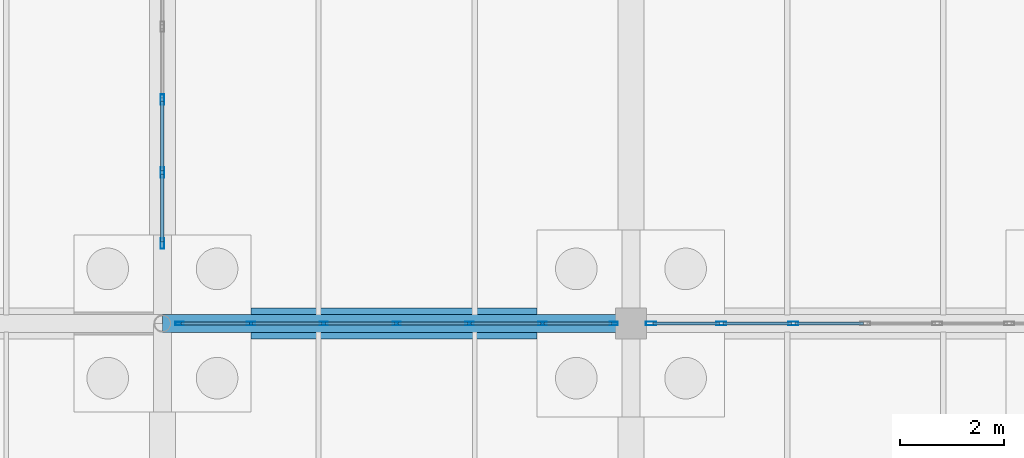
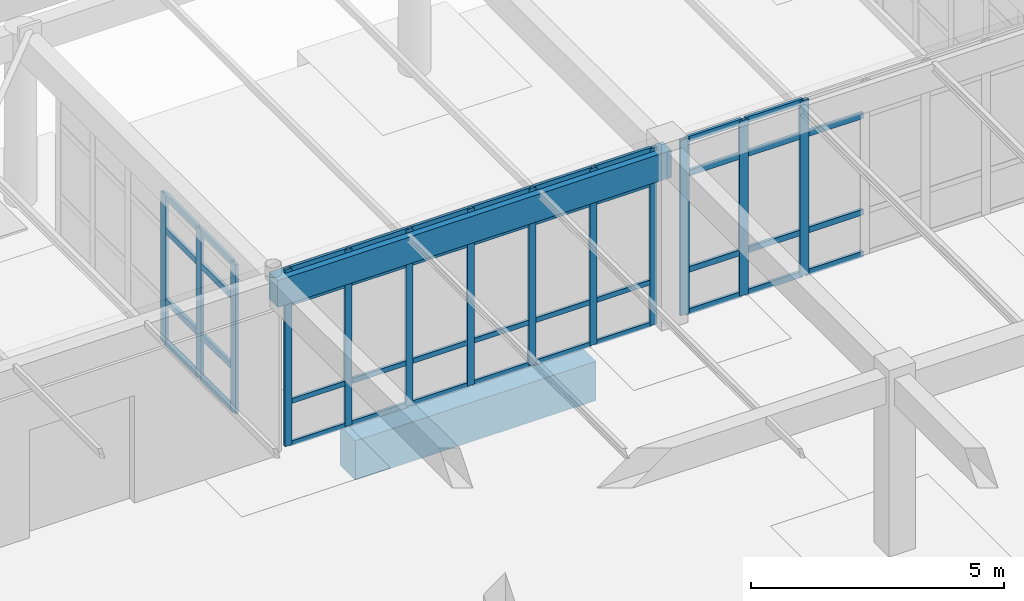
# One storey, part 132 of 186: 56 members, 2 beams, 3 elements without a shape of their own.
"""IFC4 building model written with IfcOpenShell, lengths in metres."""

import ifcopenshell
import ifcopenshell.guid

model = None  # the IFC model being written
_history = None  # IfcOwnerHistory: only IFC2X3 demands one
_inside = {}  # id of a spatial element -> (the spatial element, [elements in it])
_under = {}  # id of a project, library or spatial element -> (it, [spatial elements below it])
_declared = {}  # id of a project -> (the project, [libraries it declares])
_typed = {}  # id of a type object -> (the type object, [elements of that type])
_made_of = {}  # id of a material, layer set ... -> (it, [elements and type objects made of it])


def new_model(schema):
    """Start an empty IFC model of exactly this schema.

    Asked for "IFC4X3", IfcOpenShell would pick the latest addendum, in which some entities
    have other attributes; the version numbers below select the first issue.
    IFC2X3 requires an IfcOwnerHistory on every rooted entity: one is made here for all.
    """
    global model, _history
    if schema == "IFC4X3":
        model = ifcopenshell.file(schema_version=(4, 3, 0, 0))
    else:
        model = ifcopenshell.file(schema=schema)
    _inside.clear()
    _under.clear()
    _declared.clear()
    _typed.clear()
    _made_of.clear()
    _history = None
    if model.schema == "IFC2X3":
        org = make("IfcOrganization", Name="unknown")
        user = make(
            "IfcPersonAndOrganization",
            ThePerson=make("IfcPerson", FamilyName="unknown"),
            TheOrganization=org,
        )
        app = make(
            "IfcApplication",
            ApplicationDeveloper=org,
            Version="unknown",
            ApplicationFullName="unknown",
            ApplicationIdentifier="unknown",
        )
        _history = make(
            "IfcOwnerHistory",
            OwningUser=user,
            OwningApplication=app,
            ChangeAction="ADDED",
            CreationDate=0,
        )
    return model


def make(cls, **values):
    """One entity of the class cls with the attributes given. An attribute that is None is left unset."""
    return model.create_entity(
        cls, **{name: value for name, value in values.items() if value is not None}
    )


def rooted(cls, **values):
    """An entity with a GlobalId (a new one), such as an element, a storey or a relation."""
    return make(cls, GlobalId=ifcopenshell.guid.new(), OwnerHistory=_history, **values)


def si_unit(unit_type, name, prefix=None):
    """IfcSIUnit, for example si_unit("LENGTHUNIT", "METRE", prefix="MILLI")."""
    return make("IfcSIUnit", UnitType=unit_type, Prefix=prefix, Name=name)


def assignment(units):
    """IfcUnitAssignment: the units of a project."""
    return None if units is None else make("IfcUnitAssignment", Units=units)


def point(xyz):
    """IfcCartesianPoint."""
    return None if xyz is None else make("IfcCartesianPoint", Coordinates=xyz)


def direction(xyz):
    """IfcDirection."""
    return None if xyz is None else make("IfcDirection", DirectionRatios=xyz)


def frame(location, z_axis=None, x_axis=None):
    """IfcAxis2Placement3D, a coordinate frame: its origin and axes. An axis left out is left unset."""
    return make(
        "IfcAxis2Placement3D",
        Location=point(location),
        Axis=direction(z_axis),
        RefDirection=direction(x_axis),
    )


def frame_2d(location, x_axis=None):
    """IfcAxis2Placement2D, a coordinate frame in the plane: its origin and x axis."""
    return make(
        "IfcAxis2Placement2D", Location=point(location), RefDirection=direction(x_axis)
    )


def origin():
    """The frame at (0, 0, 0) with its axes left unset."""
    return frame((0.0, 0.0, 0.0))


def origin_2d():
    """The frame at (0, 0) in the plane with its x axis left unset."""
    return frame_2d((0.0, 0.0))


def place(relative_to, where):
    """IfcLocalPlacement: puts the frame where relative to a parent placement (None: the world)."""
    return make(
        "IfcLocalPlacement", PlacementRelTo=relative_to, RelativePlacement=where
    )


def context(
    kind, dimensions, precision=None, world=None, true_north=None, identifier=None
):
    """IfcGeometricRepresentationContext, for example the 3D "Model" context."""
    return make(
        "IfcGeometricRepresentationContext",
        ContextIdentifier=identifier,
        ContextType=kind,
        CoordinateSpaceDimension=dimensions,
        Precision=precision,
        WorldCoordinateSystem=world,
        TrueNorth=true_north,
    )


def subcontext(parent, identifier, kind, view, scale=None):
    """IfcGeometricRepresentationSubContext, for example "Body" below "Model"."""
    return make(
        "IfcGeometricRepresentationSubContext",
        ContextIdentifier=identifier,
        ContextType=kind,
        ParentContext=parent,
        TargetScale=scale,
        TargetView=view,
    )


def project(units=None, contexts=None):
    """IfcProject with its units and contexts."""
    return rooted(
        "IfcProject",
        Name="project",
        RepresentationContexts=contexts,
        UnitsInContext=assignment(units),
    )


def spatial(cls, under=None, at=None, **own):
    """A site, building, storey or space (cls), placed at a placement, below another one or the project."""
    s = rooted(cls, ObjectPlacement=at, **own)
    if under is not None:
        _under.setdefault(under.id(), (under, []))[1].append(s)
    return s


def profile(cls, at=None, kind="AREA", **sizes):
    """A parametric profile (cls). Its sizes go by their IFC names, for example OverallWidth=200.0."""
    return make(cls, ProfileType=kind, Position=at, **sizes)


def rectangle(**sizes):
    """IfcRectangleProfileDef."""
    return profile("IfcRectangleProfileDef", **sizes)


def hollow_rectangle(**sizes):
    """IfcRectangleHollowProfileDef."""
    return profile("IfcRectangleHollowProfileDef", **sizes)


def extrude(swept, where, along, depth):
    """IfcExtrudedAreaSolid: the profile swept, set in the frame where, extruded along a direction by depth."""
    return make(
        "IfcExtrudedAreaSolid",
        SweptArea=swept,
        Position=where,
        ExtrudedDirection=direction(along),
        Depth=depth,
    )


def shape(context_of_items, identifier, shape_type, items):
    """IfcShapeRepresentation: the items that make up one representation, for example the "Body"."""
    return make(
        "IfcShapeRepresentation",
        ContextOfItems=context_of_items,
        RepresentationIdentifier=identifier,
        RepresentationType=shape_type,
        Items=items,
    )


def material(Name=None, Category=None):
    """IfcMaterial."""
    return make("IfcMaterial", Name=Name, Category=Category)


def layer(
    of_material, thickness, ventilated=None, Name=None, Category=None, Priority=None
):
    """IfcMaterialLayer: one layer of a wall or slab, of a material (None: an air gap)."""
    return make(
        "IfcMaterialLayer",
        Material=of_material,
        LayerThickness=thickness,
        IsVentilated=ventilated,
        Name=Name,
        Category=Category,
        Priority=Priority,
    )


def layer_set(layers, Name=None):
    """IfcMaterialLayerSet."""
    return make("IfcMaterialLayerSet", MaterialLayers=layers, LayerSetName=Name)


def material_profile(
    of_material, cross_section, Name=None, Category=None, Priority=None
):
    """IfcMaterialProfile: a cross section and its material."""
    return make(
        "IfcMaterialProfile",
        Name=Name,
        Material=of_material,
        Profile=cross_section,
        Priority=Priority,
        Category=Category,
    )


def profile_set(profiles, Name=None, composite=None):
    """IfcMaterialProfileSet."""
    return make(
        "IfcMaterialProfileSet",
        Name=Name,
        MaterialProfiles=profiles,
        CompositeProfile=composite,
    )


def made_of(thing, what):
    """Note that an element or type object is made of a material, layer set ...; save() writes the relation."""
    if what is not None:
        _made_of.setdefault(what.id(), (what, []))[1].append(thing)
    return thing


def type_object(cls, material=None, **own):
    """A type object (cls), such as IfcWallType, which elements share."""
    return made_of(rooted(cls, **own), material)


def element(
    cls,
    number,
    at=None,
    inside=None,
    cuts=None,
    type_object=None,
    material=None,
    context=None,
    identifier="Body",
    shape_type=None,
    held_by="IfcProductDefinitionShape",
    body=None,
    shapes=None,
    **own,
):
    """One element of the class cls, such as IfcWall. Its Tag is "e" and its number.

    at: its placement. inside: the storey or other place that contains it. cuts: it is an
    opening in that element (IfcRelVoidsElement). A single representation is given by context,
    identifier, shape_type and body (its items); several are given by shapes. held_by: the class
    of the entity that holds the representations. save() writes the other relations.
    """
    e = rooted(cls, Tag="e%d" % number, ObjectPlacement=at, **own)
    if body is not None:
        shapes = [shape(context, identifier, shape_type, body)]
    if shapes is not None:
        e.Representation = make(held_by, Representations=shapes)
    if inside is not None:
        _inside.setdefault(inside.id(), (inside, []))[1].append(e)
    if cuts is not None:
        rooted(
            "IfcRelVoidsElement", RelatingBuildingElement=cuts, RelatedOpeningElement=e
        )
    if type_object is not None:
        _typed.setdefault(type_object.id(), (type_object, []))[1].append(e)
    return made_of(e, material)


def aggregate(whole, parts):
    """IfcRelAggregates: a whole, such as a stair, and the parts it consists of."""
    return rooted("IfcRelAggregates", RelatingObject=whole, RelatedObjects=parts)


def save(model, path):
    """Write the relations noted so far, then the file.

    IfcRelAggregates (storeys below a building ...), IfcRelContainedInSpatialStructure (elements
    in a storey), IfcRelDefinesByType, IfcRelAssociatesMaterial and IfcRelDeclares: one each for
    every whole, place, type object, material and project.
    """
    for whole, parts in _under.values():
        aggregate(whole, parts)
    for where, things in _inside.values():
        rooted(
            "IfcRelContainedInSpatialStructure",
            RelatedElements=things,
            RelatingStructure=where,
        )
    for kind, things in _typed.values():
        rooted("IfcRelDefinesByType", RelatedObjects=things, RelatingType=kind)
    for what, things in _made_of.values():
        rooted("IfcRelAssociatesMaterial", RelatedObjects=things, RelatingMaterial=what)
    for by, libraries in _declared.values():
        rooted("IfcRelDeclares", RelatingContext=by, RelatedDefinitions=libraries)
    model.write(path)


model = new_model("IFC4")

# Units and contexts
model_context = context("Model", 3, precision=1e-05, world=origin(), true_north=direction((0.0, 1.0)))
body_context = subcontext(model_context, "Body", "Model", "MODEL_VIEW")
ifc_project = project(units=[si_unit("LENGTHUNIT", "METRE"), si_unit("AREAUNIT", "SQUARE_METRE"), si_unit("VOLUMEUNIT", "CUBIC_METRE"), si_unit("PLANEANGLEUNIT", "RADIAN"), si_unit("MASSUNIT", "GRAM", prefix="KILO")], contexts=[model_context])

# Site, building, storey
site_placement = place(None, origin())
site = spatial("IfcSite", under=ifc_project, at=site_placement, CompositionType="ELEMENT")
building_placement = place(site_placement, origin())
building = spatial("IfcBuilding", under=site, at=building_placement, Name="Ornek Quay Market", CompositionType="ELEMENT")
storey_placement = place(building_placement, origin())
storey = spatial("IfcBuildingStorey", under=building, at=storey_placement, Name="L00", CompositionType="ELEMENT", Elevation=0.0)

# Beams
ifc_material_1 = material(Name="Concrete C35/45", Category="concrete")
ifc_material_profile_1 = material_profile(ifc_material_1, rectangle(XDim=0.35009765625, YDim=0.64990234375, at=origin_2d()), Name="RC 350x650", Category="concrete")
ifc_profile_set_1 = profile_set([ifc_material_profile_1], Name="Concrete C35/45")
beam_type_1 = type_object("IfcBeamType", Name="BM-CONC-350x650", PredefinedType="BEAM", material=ifc_profile_set_1)
beam_1_placement = place(storey_placement, frame((144.0, 110.0, 3.864990234375), z_axis=(1.0, 0.0, 0.0), x_axis=(0.0, 1.0, 0.0)))
element("IfcBeam", 1, at=beam_1_placement, inside=storey, type_object=beam_type_1, Name="Primary beam B-CN1-035", PredefinedType="BEAM", context=body_context, shape_type="SweptSolid", body=[
    extrude(rectangle(XDim=0.35009765625, YDim=0.64990234375, at=origin_2d()), origin(), (0.0, 0.0, 1.0), 9.0),
])
ifc_material_profile_2 = material_profile(ifc_material_1, rectangle(XDim=0.60009765625, YDim=0.949951171875, at=origin_2d()), Name="RC 600x950", Category="concrete")
ifc_profile_set_2 = profile_set([ifc_material_profile_2], Name="Concrete C35/45")
beam_type_2 = type_object("IfcBeamType", Name="BM-GB-600x950", PredefinedType="BEAM", material=ifc_profile_set_2)
beam_2_placement = place(storey_placement, frame((145.699951171875, 110.0, -0.675048828125), z_axis=(1.0, 0.0, 0.0), x_axis=(0.0, 1.0, 0.0)))
element("IfcBeam", 2, at=beam_2_placement, inside=storey, type_object=beam_type_2, Name="Ground tie beam GB-352", PredefinedType="BEAM", context=body_context, shape_type="SweptSolid", body=[
    extrude(rectangle(XDim=0.60009765625, YDim=0.949951171875, at=origin_2d()), origin(), (0.0, 0.0, 1.0), 5.5),
])

# Curtain wall, members
ifc_material_2 = material(Name="Anodised bronze aluminium and triple low-e glass", Category="aluminium")
ifc_layer_1 = layer(ifc_material_2, 0.179931640625, Name="Anodised bronze aluminium and triple low-e glass", Category="aluminium")
ifc_layer_set_1 = layer_set([ifc_layer_1], Name="Anodised bronze aluminium and triple low-e glass")
curtain_wall_type_1 = type_object("IfcCurtainWallType", Name="CW-CONC-MOD1500", PredefinedType="USERDEFINED", material=ifc_layer_set_1)
curtain_wall_1_placement = place(storey_placement, origin())
curtain_wall_1 = element("IfcCurtainWall", 3, at=curtain_wall_1_placement, inside=storey, type_object=curtain_wall_type_1, Name="Curtain wall CW-029", ObjectType="CURTAIN WALL", PredefinedType="USERDEFINED")
ifc_material_3 = material(Name="Anodised aluminium 6063-T6", Category="aluminium")
ifc_material_profile_3 = material_profile(ifc_material_3, hollow_rectangle(XDim=0.06005859375, YDim=0.159912109375, WallThickness=0.00390625, at=origin_2d()), Name="CW-MUL-60x160", Category="aluminium")
ifc_profile_set_3 = profile_set([ifc_material_profile_3], Name="Anodised aluminium 6063-T6")
member_type_1 = type_object("IfcMemberType", Name="CW-MUL-60x160", PredefinedType="MULLION", material=ifc_profile_set_3)
member_1_placement = place(storey_placement, frame((144.330078125, 110.0, 0.0), z_axis=(0.0, 0.0, 1.0), x_axis=(0.0, 1.0, 0.0)))
member_1 = element("IfcMember", 4, at=member_1_placement, type_object=member_type_1, Name="CW-029 mullion 1", PredefinedType="MULLION", context=body_context, shape_type="SweptSolid", body=[
    extrude(hollow_rectangle(XDim=0.06005859375, YDim=0.159912109375, WallThickness=0.00390625, at=origin_2d()), origin(), (0.0, 0.0, 1.0), 4.27001953125),
])
member_2_placement = place(storey_placement, frame((145.699951171875, 110.0, 0.0), z_axis=(0.0, 0.0, 1.0), x_axis=(0.0, 1.0, 0.0)))
member_2 = element("IfcMember", 5, at=member_2_placement, type_object=member_type_1, Name="CW-029 mullion 2", PredefinedType="MULLION", context=body_context, shape_type="SweptSolid", body=[
    extrude(hollow_rectangle(XDim=0.06005859375, YDim=0.159912109375, WallThickness=0.00390625, at=origin_2d()), origin(), (0.0, 0.0, 1.0), 4.27001953125),
])
member_3_placement = place(storey_placement, frame((147.10009765625, 110.0, 0.0), z_axis=(0.0, 0.0, 1.0), x_axis=(0.0, 1.0, 0.0)))
member_3 = element("IfcMember", 6, at=member_3_placement, type_object=member_type_1, Name="CW-029 mullion 3", PredefinedType="MULLION", context=body_context, shape_type="SweptSolid", body=[
    extrude(hollow_rectangle(XDim=0.06005859375, YDim=0.159912109375, WallThickness=0.00390625, at=origin_2d()), origin(), (0.0, 0.0, 1.0), 4.27001953125),
])
member_4_placement = place(storey_placement, frame((148.5, 110.0, 0.0), z_axis=(0.0, 0.0, 1.0), x_axis=(0.0, 1.0, 0.0)))
member_4 = element("IfcMember", 7, at=member_4_placement, type_object=member_type_1, Name="CW-029 mullion 4", PredefinedType="MULLION", context=body_context, shape_type="SweptSolid", body=[
    extrude(hollow_rectangle(XDim=0.06005859375, YDim=0.159912109375, WallThickness=0.00390625, at=origin_2d()), origin(), (0.0, 0.0, 1.0), 4.27001953125),
])
member_5_placement = place(storey_placement, frame((149.89990234375, 110.0, 0.0), z_axis=(0.0, 0.0, 1.0), x_axis=(0.0, 1.0, 0.0)))
member_5 = element("IfcMember", 8, at=member_5_placement, type_object=member_type_1, Name="CW-029 mullion 5", PredefinedType="MULLION", context=body_context, shape_type="SweptSolid", body=[
    extrude(hollow_rectangle(XDim=0.06005859375, YDim=0.159912109375, WallThickness=0.00390625, at=origin_2d()), origin(), (0.0, 0.0, 1.0), 4.27001953125),
])
member_6_placement = place(storey_placement, frame((151.300048828125, 110.0, 0.0), z_axis=(0.0, 0.0, 1.0), x_axis=(0.0, 1.0, 0.0)))
member_6 = element("IfcMember", 9, at=member_6_placement, type_object=member_type_1, Name="CW-029 mullion 6", PredefinedType="MULLION", context=body_context, shape_type="SweptSolid", body=[
    extrude(hollow_rectangle(XDim=0.06005859375, YDim=0.159912109375, WallThickness=0.00390625, at=origin_2d()), origin(), (0.0, 0.0, 1.0), 4.27001953125),
])
member_7_placement = place(storey_placement, frame((152.669921875, 110.0, 0.0), z_axis=(0.0, 0.0, 1.0), x_axis=(0.0, 1.0, 0.0)))
member_7 = element("IfcMember", 10, at=member_7_placement, type_object=member_type_1, Name="CW-029 mullion 7", PredefinedType="MULLION", context=body_context, shape_type="SweptSolid", body=[
    extrude(hollow_rectangle(XDim=0.06005859375, YDim=0.159912109375, WallThickness=0.00390625, at=origin_2d()), origin(), (0.0, 0.0, 1.0), 4.27001953125),
])

ifc_layer_2 = layer(ifc_material_2, 0.18994140625, Name="Anodised bronze aluminium and triple low-e glass", Category="aluminium")
ifc_layer_set_2 = layer_set([ifc_layer_2], Name="Anodised bronze aluminium and triple low-e glass")
curtain_wall_type_2 = type_object("IfcCurtainWallType", Name="CW-FC-MOD1500", PredefinedType="USERDEFINED", material=ifc_layer_set_2)
curtain_wall_2_placement = place(storey_placement, origin())
curtain_wall_2 = element("IfcCurtainWall", 11, at=curtain_wall_2_placement, inside=storey, type_object=curtain_wall_type_2, Name="Curtain wall CW-079", ObjectType="CURTAIN WALL", PredefinedType="USERDEFINED")
ifc_material_profile_4 = material_profile(ifc_material_3, hollow_rectangle(XDim=0.070068359375, YDim=0.199951171875, WallThickness=0.0048828125, at=origin_2d()), Name="CW-MUL-70x200", Category="aluminium")
ifc_profile_set_4 = profile_set([ifc_material_profile_4], Name="Anodised aluminium 6063-T6")
member_type_2 = type_object("IfcMemberType", Name="CW-MUL-70x200", PredefinedType="MULLION", material=ifc_profile_set_4)
member_8_placement = place(storey_placement, frame((153.385009765625, 110.0, 0.0), z_axis=(0.0, 0.0, 1.0), x_axis=(0.0, 1.0, 0.0)))
member_8 = element("IfcMember", 12, at=member_8_placement, type_object=member_type_2, Name="CW-079 mullion 1", PredefinedType="MULLION", context=body_context, shape_type="SweptSolid", body=[
    extrude(hollow_rectangle(XDim=0.070068359375, YDim=0.199951171875, WallThickness=0.0048828125, at=origin_2d()), origin(), (0.0, 0.0, 1.0), 4.22998046875),
])
member_9_placement = place(storey_placement, frame((154.7333984375, 110.0, 0.0), z_axis=(0.0, 0.0, 1.0), x_axis=(0.0, 1.0, 0.0)))
member_9 = element("IfcMember", 13, at=member_9_placement, type_object=member_type_2, Name="CW-079 mullion 2", PredefinedType="MULLION", context=body_context, shape_type="SweptSolid", body=[
    extrude(hollow_rectangle(XDim=0.070068359375, YDim=0.199951171875, WallThickness=0.0048828125, at=origin_2d()), origin(), (0.0, 0.0, 1.0), 4.22998046875),
])
member_10_placement = place(storey_placement, frame((156.11669921875, 110.0, 0.0), z_axis=(0.0, 0.0, 1.0), x_axis=(0.0, 1.0, 0.0)))
member_10 = element("IfcMember", 14, at=member_10_placement, type_object=member_type_2, Name="CW-079 mullion 3", PredefinedType="MULLION", context=body_context, shape_type="SweptSolid", body=[
    extrude(hollow_rectangle(XDim=0.070068359375, YDim=0.199951171875, WallThickness=0.0048828125, at=origin_2d()), origin(), (0.0, 0.0, 1.0), 4.22998046875),
])

ifc_layer_3 = layer(ifc_material_2, 0.219970703125, Name="Anodised bronze aluminium and triple low-e glass", Category="aluminium")
ifc_layer_set_3 = layer_set([ifc_layer_3], Name="Anodised bronze aluminium and triple low-e glass")
curtain_wall_type_3 = type_object("IfcCurtainWallType", Name="CW-PORCH-MOD1500", PredefinedType="USERDEFINED", material=ifc_layer_set_3)
curtain_wall_3_placement = place(storey_placement, origin())
curtain_wall_3 = element("IfcCurtainWall", 15, at=curtain_wall_3_placement, inside=storey, type_object=curtain_wall_type_3, Name="Curtain wall CW-156", ObjectType="CURTAIN WALL", PredefinedType="USERDEFINED")
member_11_placement = place(storey_placement, frame((144.0, 111.534912109375, 0.0), z_axis=(0.0, 0.0, 1.0), x_axis=(-1.0, 0.0, 0.0)))
member_11 = element("IfcMember", 16, at=member_11_placement, type_object=member_type_2, Name="CW-156 mullion 1", PredefinedType="MULLION", context=body_context, shape_type="SweptSolid", body=[
    extrude(hollow_rectangle(XDim=0.070068359375, YDim=0.199951171875, WallThickness=0.0048828125, at=origin_2d()), origin(), (0.0, 0.0, 1.0), 3.60009765625),
])
member_12_placement = place(storey_placement, frame((144.0, 112.89990234375, 0.0), z_axis=(0.0, 0.0, 1.0), x_axis=(-1.0, 0.0, 0.0)))
member_12 = element("IfcMember", 17, at=member_12_placement, type_object=member_type_2, Name="CW-156 mullion 2", PredefinedType="MULLION", context=body_context, shape_type="SweptSolid", body=[
    extrude(hollow_rectangle(XDim=0.070068359375, YDim=0.199951171875, WallThickness=0.0048828125, at=origin_2d()), origin(), (0.0, 0.0, 1.0), 3.60009765625),
])
member_13_placement = place(storey_placement, frame((144.0, 114.300048828125, 0.0), z_axis=(0.0, 0.0, 1.0), x_axis=(-1.0, 0.0, 0.0)))
member_13 = element("IfcMember", 18, at=member_13_placement, type_object=member_type_2, Name="CW-156 mullion 3", PredefinedType="MULLION", context=body_context, shape_type="SweptSolid", body=[
    extrude(hollow_rectangle(XDim=0.070068359375, YDim=0.199951171875, WallThickness=0.0048828125, at=origin_2d()), origin(), (0.0, 0.0, 1.0), 3.60009765625),
])

# Member
ifc_material_profile_5 = material_profile(ifc_material_3, hollow_rectangle(XDim=0.06005859375, YDim=0.1201171875, WallThickness=0.00390625, at=origin_2d()), Name="CW-TRN-60x120", Category="aluminium")
ifc_profile_set_5 = profile_set([ifc_material_profile_5], Name="Anodised aluminium 6063-T6")
member_type_3 = type_object("IfcMemberType", Name="CW-TRN-60x120", PredefinedType="USERDEFINED", material=ifc_profile_set_5)
member_14_placement = place(storey_placement, frame((144.360107421875, 110.0, 0.030029296875), z_axis=(1.0, 0.0, 0.0), x_axis=(0.0, 1.0, 0.0)))
member_14 = element("IfcMember", 19, at=member_14_placement, type_object=member_type_3, Name="CW-029 transom 1.1", ObjectType="TRANSOM", PredefinedType="USERDEFINED", context=body_context, shape_type="SweptSolid", body=[
    extrude(hollow_rectangle(XDim=0.06005859375, YDim=0.1201171875, WallThickness=0.00390625, at=origin_2d()), origin(), (0.0, 0.0, 1.0), 1.309814453125),
])

member_15_placement = place(storey_placement, frame((144.360107421875, 110.0, 1.050048828125), z_axis=(1.0, 0.0, 0.0), x_axis=(0.0, 1.0, 0.0)))
member_15 = element("IfcMember", 20, at=member_15_placement, type_object=member_type_3, Name="CW-029 transom 1.2", ObjectType="TRANSOM", PredefinedType="USERDEFINED", context=body_context, shape_type="SweptSolid", body=[
    extrude(hollow_rectangle(XDim=0.06005859375, YDim=0.1201171875, WallThickness=0.00390625, at=origin_2d()), origin(), (0.0, 0.0, 1.0), 1.309814453125),
])

member_16_placement = place(storey_placement, frame((144.360107421875, 110.0, 3.419921875), z_axis=(1.0, 0.0, 0.0), x_axis=(0.0, 1.0, 0.0)))
member_16 = element("IfcMember", 21, at=member_16_placement, type_object=member_type_3, Name="CW-029 transom 1.3", ObjectType="TRANSOM", PredefinedType="USERDEFINED", context=body_context, shape_type="SweptSolid", body=[
    extrude(hollow_rectangle(XDim=0.06005859375, YDim=0.1201171875, WallThickness=0.00390625, at=origin_2d()), origin(), (0.0, 0.0, 1.0), 1.309814453125),
])

member_17_placement = place(storey_placement, frame((144.360107421875, 110.0, 4.239990234375), z_axis=(1.0, 0.0, 0.0), x_axis=(0.0, 1.0, 0.0)))
member_17 = element("IfcMember", 22, at=member_17_placement, type_object=member_type_3, Name="CW-029 transom 1.4", ObjectType="TRANSOM", PredefinedType="USERDEFINED", context=body_context, shape_type="SweptSolid", body=[
    extrude(hollow_rectangle(XDim=0.06005859375, YDim=0.1201171875, WallThickness=0.00390625, at=origin_2d()), origin(), (0.0, 0.0, 1.0), 1.309814453125),
])

member_18_placement = place(storey_placement, frame((145.72998046875, 110.0, 0.030029296875), z_axis=(1.0, 0.0, 0.0), x_axis=(0.0, 1.0, 0.0)))
member_18 = element("IfcMember", 23, at=member_18_placement, type_object=member_type_3, Name="CW-029 transom 2.1", ObjectType="TRANSOM", PredefinedType="USERDEFINED", context=body_context, shape_type="SweptSolid", body=[
    extrude(hollow_rectangle(XDim=0.06005859375, YDim=0.1201171875, WallThickness=0.00390625, at=origin_2d()), origin(), (0.0, 0.0, 1.0), 1.340087890625),
])

member_19_placement = place(storey_placement, frame((145.72998046875, 110.0, 1.050048828125), z_axis=(1.0, 0.0, 0.0), x_axis=(0.0, 1.0, 0.0)))
member_19 = element("IfcMember", 24, at=member_19_placement, type_object=member_type_3, Name="CW-029 transom 2.2", ObjectType="TRANSOM", PredefinedType="USERDEFINED", context=body_context, shape_type="SweptSolid", body=[
    extrude(hollow_rectangle(XDim=0.06005859375, YDim=0.1201171875, WallThickness=0.00390625, at=origin_2d()), origin(), (0.0, 0.0, 1.0), 1.340087890625),
])

member_20_placement = place(storey_placement, frame((145.72998046875, 110.0, 3.419921875), z_axis=(1.0, 0.0, 0.0), x_axis=(0.0, 1.0, 0.0)))
member_20 = element("IfcMember", 25, at=member_20_placement, type_object=member_type_3, Name="CW-029 transom 2.3", ObjectType="TRANSOM", PredefinedType="USERDEFINED", context=body_context, shape_type="SweptSolid", body=[
    extrude(hollow_rectangle(XDim=0.06005859375, YDim=0.1201171875, WallThickness=0.00390625, at=origin_2d()), origin(), (0.0, 0.0, 1.0), 1.340087890625),
])

member_21_placement = place(storey_placement, frame((145.72998046875, 110.0, 4.239990234375), z_axis=(1.0, 0.0, 0.0), x_axis=(0.0, 1.0, 0.0)))
member_21 = element("IfcMember", 26, at=member_21_placement, type_object=member_type_3, Name="CW-029 transom 2.4", ObjectType="TRANSOM", PredefinedType="USERDEFINED", context=body_context, shape_type="SweptSolid", body=[
    extrude(hollow_rectangle(XDim=0.06005859375, YDim=0.1201171875, WallThickness=0.00390625, at=origin_2d()), origin(), (0.0, 0.0, 1.0), 1.340087890625),
])

member_22_placement = place(storey_placement, frame((147.1298828125, 110.0, 0.030029296875), z_axis=(1.0, 0.0, 0.0), x_axis=(0.0, 1.0, 0.0)))
member_22 = element("IfcMember", 27, at=member_22_placement, type_object=member_type_3, Name="CW-029 transom 3.1", ObjectType="TRANSOM", PredefinedType="USERDEFINED", context=body_context, shape_type="SweptSolid", body=[
    extrude(hollow_rectangle(XDim=0.06005859375, YDim=0.1201171875, WallThickness=0.00390625, at=origin_2d()), origin(), (0.0, 0.0, 1.0), 1.340087890625),
])

member_23_placement = place(storey_placement, frame((147.1298828125, 110.0, 1.050048828125), z_axis=(1.0, 0.0, 0.0), x_axis=(0.0, 1.0, 0.0)))
member_23 = element("IfcMember", 28, at=member_23_placement, type_object=member_type_3, Name="CW-029 transom 3.2", ObjectType="TRANSOM", PredefinedType="USERDEFINED", context=body_context, shape_type="SweptSolid", body=[
    extrude(hollow_rectangle(XDim=0.06005859375, YDim=0.1201171875, WallThickness=0.00390625, at=origin_2d()), origin(), (0.0, 0.0, 1.0), 1.340087890625),
])

member_24_placement = place(storey_placement, frame((147.1298828125, 110.0, 3.419921875), z_axis=(1.0, 0.0, 0.0), x_axis=(0.0, 1.0, 0.0)))
member_24 = element("IfcMember", 29, at=member_24_placement, type_object=member_type_3, Name="CW-029 transom 3.3", ObjectType="TRANSOM", PredefinedType="USERDEFINED", context=body_context, shape_type="SweptSolid", body=[
    extrude(hollow_rectangle(XDim=0.06005859375, YDim=0.1201171875, WallThickness=0.00390625, at=origin_2d()), origin(), (0.0, 0.0, 1.0), 1.340087890625),
])

member_25_placement = place(storey_placement, frame((147.1298828125, 110.0, 4.239990234375), z_axis=(1.0, 0.0, 0.0), x_axis=(0.0, 1.0, 0.0)))
member_25 = element("IfcMember", 30, at=member_25_placement, type_object=member_type_3, Name="CW-029 transom 3.4", ObjectType="TRANSOM", PredefinedType="USERDEFINED", context=body_context, shape_type="SweptSolid", body=[
    extrude(hollow_rectangle(XDim=0.06005859375, YDim=0.1201171875, WallThickness=0.00390625, at=origin_2d()), origin(), (0.0, 0.0, 1.0), 1.340087890625),
])

member_26_placement = place(storey_placement, frame((148.530029296875, 110.0, 0.030029296875), z_axis=(1.0, 0.0, 0.0), x_axis=(0.0, 1.0, 0.0)))
member_26 = element("IfcMember", 31, at=member_26_placement, type_object=member_type_3, Name="CW-029 transom 4.1", ObjectType="TRANSOM", PredefinedType="USERDEFINED", context=body_context, shape_type="SweptSolid", body=[
    extrude(hollow_rectangle(XDim=0.06005859375, YDim=0.1201171875, WallThickness=0.00390625, at=origin_2d()), origin(), (0.0, 0.0, 1.0), 1.340087890625),
])

member_27_placement = place(storey_placement, frame((148.530029296875, 110.0, 1.050048828125), z_axis=(1.0, 0.0, 0.0), x_axis=(0.0, 1.0, 0.0)))
member_27 = element("IfcMember", 32, at=member_27_placement, type_object=member_type_3, Name="CW-029 transom 4.2", ObjectType="TRANSOM", PredefinedType="USERDEFINED", context=body_context, shape_type="SweptSolid", body=[
    extrude(hollow_rectangle(XDim=0.06005859375, YDim=0.1201171875, WallThickness=0.00390625, at=origin_2d()), origin(), (0.0, 0.0, 1.0), 1.340087890625),
])

member_28_placement = place(storey_placement, frame((148.530029296875, 110.0, 3.419921875), z_axis=(1.0, 0.0, 0.0), x_axis=(0.0, 1.0, 0.0)))
member_28 = element("IfcMember", 33, at=member_28_placement, type_object=member_type_3, Name="CW-029 transom 4.3", ObjectType="TRANSOM", PredefinedType="USERDEFINED", context=body_context, shape_type="SweptSolid", body=[
    extrude(hollow_rectangle(XDim=0.06005859375, YDim=0.1201171875, WallThickness=0.00390625, at=origin_2d()), origin(), (0.0, 0.0, 1.0), 1.340087890625),
])

member_29_placement = place(storey_placement, frame((148.530029296875, 110.0, 4.239990234375), z_axis=(1.0, 0.0, 0.0), x_axis=(0.0, 1.0, 0.0)))
member_29 = element("IfcMember", 34, at=member_29_placement, type_object=member_type_3, Name="CW-029 transom 4.4", ObjectType="TRANSOM", PredefinedType="USERDEFINED", context=body_context, shape_type="SweptSolid", body=[
    extrude(hollow_rectangle(XDim=0.06005859375, YDim=0.1201171875, WallThickness=0.00390625, at=origin_2d()), origin(), (0.0, 0.0, 1.0), 1.340087890625),
])

member_30_placement = place(storey_placement, frame((149.929931640625, 110.0, 0.030029296875), z_axis=(1.0, 0.0, 0.0), x_axis=(0.0, 1.0, 0.0)))
member_30 = element("IfcMember", 35, at=member_30_placement, type_object=member_type_3, Name="CW-029 transom 5.1", ObjectType="TRANSOM", PredefinedType="USERDEFINED", context=body_context, shape_type="SweptSolid", body=[
    extrude(hollow_rectangle(XDim=0.06005859375, YDim=0.1201171875, WallThickness=0.00390625, at=origin_2d()), origin(), (0.0, 0.0, 1.0), 1.340087890625),
])

member_31_placement = place(storey_placement, frame((149.929931640625, 110.0, 1.050048828125), z_axis=(1.0, 0.0, 0.0), x_axis=(0.0, 1.0, 0.0)))
member_31 = element("IfcMember", 36, at=member_31_placement, type_object=member_type_3, Name="CW-029 transom 5.2", ObjectType="TRANSOM", PredefinedType="USERDEFINED", context=body_context, shape_type="SweptSolid", body=[
    extrude(hollow_rectangle(XDim=0.06005859375, YDim=0.1201171875, WallThickness=0.00390625, at=origin_2d()), origin(), (0.0, 0.0, 1.0), 1.340087890625),
])

member_32_placement = place(storey_placement, frame((149.929931640625, 110.0, 3.419921875), z_axis=(1.0, 0.0, 0.0), x_axis=(0.0, 1.0, 0.0)))
member_32 = element("IfcMember", 37, at=member_32_placement, type_object=member_type_3, Name="CW-029 transom 5.3", ObjectType="TRANSOM", PredefinedType="USERDEFINED", context=body_context, shape_type="SweptSolid", body=[
    extrude(hollow_rectangle(XDim=0.06005859375, YDim=0.1201171875, WallThickness=0.00390625, at=origin_2d()), origin(), (0.0, 0.0, 1.0), 1.340087890625),
])

member_33_placement = place(storey_placement, frame((149.929931640625, 110.0, 4.239990234375), z_axis=(1.0, 0.0, 0.0), x_axis=(0.0, 1.0, 0.0)))
member_33 = element("IfcMember", 38, at=member_33_placement, type_object=member_type_3, Name="CW-029 transom 5.4", ObjectType="TRANSOM", PredefinedType="USERDEFINED", context=body_context, shape_type="SweptSolid", body=[
    extrude(hollow_rectangle(XDim=0.06005859375, YDim=0.1201171875, WallThickness=0.00390625, at=origin_2d()), origin(), (0.0, 0.0, 1.0), 1.340087890625),
])

member_34_placement = place(storey_placement, frame((151.330078125, 110.0, 0.030029296875), z_axis=(1.0, 0.0, 0.0), x_axis=(0.0, 1.0, 0.0)))
member_34 = element("IfcMember", 39, at=member_34_placement, type_object=member_type_3, Name="CW-029 transom 6.1", ObjectType="TRANSOM", PredefinedType="USERDEFINED", context=body_context, shape_type="SweptSolid", body=[
    extrude(hollow_rectangle(XDim=0.06005859375, YDim=0.1201171875, WallThickness=0.00390625, at=origin_2d()), origin(), (0.0, 0.0, 1.0), 1.309814453125),
])

member_35_placement = place(storey_placement, frame((151.330078125, 110.0, 1.050048828125), z_axis=(1.0, 0.0, 0.0), x_axis=(0.0, 1.0, 0.0)))
member_35 = element("IfcMember", 40, at=member_35_placement, type_object=member_type_3, Name="CW-029 transom 6.2", ObjectType="TRANSOM", PredefinedType="USERDEFINED", context=body_context, shape_type="SweptSolid", body=[
    extrude(hollow_rectangle(XDim=0.06005859375, YDim=0.1201171875, WallThickness=0.00390625, at=origin_2d()), origin(), (0.0, 0.0, 1.0), 1.309814453125),
])

member_36_placement = place(storey_placement, frame((151.330078125, 110.0, 3.419921875), z_axis=(1.0, 0.0, 0.0), x_axis=(0.0, 1.0, 0.0)))
member_36 = element("IfcMember", 41, at=member_36_placement, type_object=member_type_3, Name="CW-029 transom 6.3", ObjectType="TRANSOM", PredefinedType="USERDEFINED", context=body_context, shape_type="SweptSolid", body=[
    extrude(hollow_rectangle(XDim=0.06005859375, YDim=0.1201171875, WallThickness=0.00390625, at=origin_2d()), origin(), (0.0, 0.0, 1.0), 1.309814453125),
])

member_37_placement = place(storey_placement, frame((151.330078125, 110.0, 4.239990234375), z_axis=(1.0, 0.0, 0.0), x_axis=(0.0, 1.0, 0.0)))
member_37 = element("IfcMember", 42, at=member_37_placement, type_object=member_type_3, Name="CW-029 transom 6.4", ObjectType="TRANSOM", PredefinedType="USERDEFINED", context=body_context, shape_type="SweptSolid", body=[
    extrude(hollow_rectangle(XDim=0.06005859375, YDim=0.1201171875, WallThickness=0.00390625, at=origin_2d()), origin(), (0.0, 0.0, 1.0), 1.309814453125),
])

aggregate(curtain_wall_1, [member_1, member_2, member_3, member_4, member_5, member_6, member_7, member_14, member_15, member_16, member_17, member_18, member_19, member_20, member_21, member_22, member_23, member_24, member_25, member_26, member_27, member_28, member_29, member_30, member_31, member_32, member_33, member_34, member_35, member_36, member_37])

ifc_material_profile_6 = material_profile(ifc_material_3, hollow_rectangle(XDim=0.06494140625, YDim=0.139892578125, WallThickness=0.00439453125, at=origin_2d()), Name="CW-TRN-65x140", Category="aluminium")
ifc_profile_set_6 = profile_set([ifc_material_profile_6], Name="Anodised aluminium 6063-T6")
member_type_4 = type_object("IfcMemberType", Name="CW-TRN-65x140", PredefinedType="USERDEFINED", material=ifc_profile_set_6)
member_38_placement = place(storey_placement, frame((153.419921875, 110.0, 0.032470703125), z_axis=(1.0, 0.0, 0.0), x_axis=(0.0, 1.0, 0.0)))
member_38 = element("IfcMember", 43, at=member_38_placement, type_object=member_type_4, Name="CW-079 transom 1.1", ObjectType="TRANSOM", PredefinedType="USERDEFINED", context=body_context, shape_type="SweptSolid", body=[
    extrude(hollow_rectangle(XDim=0.06494140625, YDim=0.139892578125, WallThickness=0.00439453125, at=origin_2d()), origin(), (0.0, 0.0, 1.0), 1.2783203125),
])

member_39_placement = place(storey_placement, frame((153.419921875, 110.0, 1.050048828125), z_axis=(1.0, 0.0, 0.0), x_axis=(0.0, 1.0, 0.0)))
member_39 = element("IfcMember", 44, at=member_39_placement, type_object=member_type_4, Name="CW-079 transom 1.2", ObjectType="TRANSOM", PredefinedType="USERDEFINED", context=body_context, shape_type="SweptSolid", body=[
    extrude(hollow_rectangle(XDim=0.06494140625, YDim=0.139892578125, WallThickness=0.00439453125, at=origin_2d()), origin(), (0.0, 0.0, 1.0), 1.2783203125),
])

member_40_placement = place(storey_placement, frame((153.419921875, 110.0, 3.3798828125), z_axis=(1.0, 0.0, 0.0), x_axis=(0.0, 1.0, 0.0)))
member_40 = element("IfcMember", 45, at=member_40_placement, type_object=member_type_4, Name="CW-079 transom 1.3", ObjectType="TRANSOM", PredefinedType="USERDEFINED", context=body_context, shape_type="SweptSolid", body=[
    extrude(hollow_rectangle(XDim=0.06494140625, YDim=0.139892578125, WallThickness=0.00439453125, at=origin_2d()), origin(), (0.0, 0.0, 1.0), 1.2783203125),
])

member_41_placement = place(storey_placement, frame((153.419921875, 110.0, 4.197509765625), z_axis=(1.0, 0.0, 0.0), x_axis=(0.0, 1.0, 0.0)))
member_41 = element("IfcMember", 46, at=member_41_placement, type_object=member_type_4, Name="CW-079 transom 1.4", ObjectType="TRANSOM", PredefinedType="USERDEFINED", context=body_context, shape_type="SweptSolid", body=[
    extrude(hollow_rectangle(XDim=0.06494140625, YDim=0.139892578125, WallThickness=0.00439453125, at=origin_2d()), origin(), (0.0, 0.0, 1.0), 1.2783203125),
])

member_42_placement = place(storey_placement, frame((154.768310546875, 110.0, 0.032470703125), z_axis=(1.0, 0.0, 0.0), x_axis=(0.0, 1.0, 0.0)))
member_42 = element("IfcMember", 47, at=member_42_placement, type_object=member_type_4, Name="CW-079 transom 2.1", ObjectType="TRANSOM", PredefinedType="USERDEFINED", context=body_context, shape_type="SweptSolid", body=[
    extrude(hollow_rectangle(XDim=0.06494140625, YDim=0.139892578125, WallThickness=0.00439453125, at=origin_2d()), origin(), (0.0, 0.0, 1.0), 1.3134765625),
])

member_43_placement = place(storey_placement, frame((154.768310546875, 110.0, 1.050048828125), z_axis=(1.0, 0.0, 0.0), x_axis=(0.0, 1.0, 0.0)))
member_43 = element("IfcMember", 48, at=member_43_placement, type_object=member_type_4, Name="CW-079 transom 2.2", ObjectType="TRANSOM", PredefinedType="USERDEFINED", context=body_context, shape_type="SweptSolid", body=[
    extrude(hollow_rectangle(XDim=0.06494140625, YDim=0.139892578125, WallThickness=0.00439453125, at=origin_2d()), origin(), (0.0, 0.0, 1.0), 1.3134765625),
])

member_44_placement = place(storey_placement, frame((154.768310546875, 110.0, 3.3798828125), z_axis=(1.0, 0.0, 0.0), x_axis=(0.0, 1.0, 0.0)))
member_44 = element("IfcMember", 49, at=member_44_placement, type_object=member_type_4, Name="CW-079 transom 2.3", ObjectType="TRANSOM", PredefinedType="USERDEFINED", context=body_context, shape_type="SweptSolid", body=[
    extrude(hollow_rectangle(XDim=0.06494140625, YDim=0.139892578125, WallThickness=0.00439453125, at=origin_2d()), origin(), (0.0, 0.0, 1.0), 1.3134765625),
])

member_45_placement = place(storey_placement, frame((154.768310546875, 110.0, 4.197509765625), z_axis=(1.0, 0.0, 0.0), x_axis=(0.0, 1.0, 0.0)))
member_45 = element("IfcMember", 50, at=member_45_placement, type_object=member_type_4, Name="CW-079 transom 2.4", ObjectType="TRANSOM", PredefinedType="USERDEFINED", context=body_context, shape_type="SweptSolid", body=[
    extrude(hollow_rectangle(XDim=0.06494140625, YDim=0.139892578125, WallThickness=0.00439453125, at=origin_2d()), origin(), (0.0, 0.0, 1.0), 1.3134765625),
])

member_46_placement = place(storey_placement, frame((156.151611328125, 110.0, 0.032470703125), z_axis=(1.0, 0.0, 0.0), x_axis=(0.0, 1.0, 0.0)))
member_46 = element("IfcMember", 51, at=member_46_placement, type_object=member_type_4, Name="CW-079 transom 3.1", ObjectType="TRANSOM", PredefinedType="USERDEFINED", context=body_context, shape_type="SweptSolid", body=[
    extrude(hollow_rectangle(XDim=0.06494140625, YDim=0.139892578125, WallThickness=0.00439453125, at=origin_2d()), origin(), (0.0, 0.0, 1.0), 1.3134765625),
])

member_47_placement = place(storey_placement, frame((156.151611328125, 110.0, 1.050048828125), z_axis=(1.0, 0.0, 0.0), x_axis=(0.0, 1.0, 0.0)))
member_47 = element("IfcMember", 52, at=member_47_placement, type_object=member_type_4, Name="CW-079 transom 3.2", ObjectType="TRANSOM", PredefinedType="USERDEFINED", context=body_context, shape_type="SweptSolid", body=[
    extrude(hollow_rectangle(XDim=0.06494140625, YDim=0.139892578125, WallThickness=0.00439453125, at=origin_2d()), origin(), (0.0, 0.0, 1.0), 1.3134765625),
])

member_48_placement = place(storey_placement, frame((156.151611328125, 110.0, 3.3798828125), z_axis=(1.0, 0.0, 0.0), x_axis=(0.0, 1.0, 0.0)))
member_48 = element("IfcMember", 53, at=member_48_placement, type_object=member_type_4, Name="CW-079 transom 3.3", ObjectType="TRANSOM", PredefinedType="USERDEFINED", context=body_context, shape_type="SweptSolid", body=[
    extrude(hollow_rectangle(XDim=0.06494140625, YDim=0.139892578125, WallThickness=0.00439453125, at=origin_2d()), origin(), (0.0, 0.0, 1.0), 1.3134765625),
])

aggregate(curtain_wall_2, [member_8, member_9, member_10, member_38, member_39, member_40, member_41, member_42, member_43, member_44, member_45, member_46, member_47, member_48])

ifc_material_profile_7 = material_profile(ifc_material_3, hollow_rectangle(XDim=0.070068359375, YDim=0.14990234375, WallThickness=0.0048828125, at=origin_2d()), Name="CW-TRN-70x150", Category="aluminium")
ifc_profile_set_7 = profile_set([ifc_material_profile_7], Name="Anodised aluminium 6063-T6")
member_type_5 = type_object("IfcMemberType", Name="CW-TRN-70x150", PredefinedType="USERDEFINED", material=ifc_profile_set_7)
member_49_placement = place(storey_placement, frame((144.0, 111.570068359375, 0.034912109375), z_axis=(0.0, 1.0, 0.0), x_axis=(-1.0, 0.0, 0.0)))
member_49 = element("IfcMember", 54, at=member_49_placement, type_object=member_type_5, Name="CW-156 transom 1.1", ObjectType="TRANSOM", PredefinedType="USERDEFINED", context=body_context, shape_type="SweptSolid", body=[
    extrude(hollow_rectangle(XDim=0.070068359375, YDim=0.14990234375, WallThickness=0.0048828125, at=origin_2d()), origin(), (0.0, 0.0, 1.0), 1.294921875),
])

member_50_placement = place(storey_placement, frame((144.0, 111.570068359375, 1.050048828125), z_axis=(0.0, 1.0, 0.0), x_axis=(-1.0, 0.0, 0.0)))
member_50 = element("IfcMember", 55, at=member_50_placement, type_object=member_type_5, Name="CW-156 transom 1.2", ObjectType="TRANSOM", PredefinedType="USERDEFINED", context=body_context, shape_type="SweptSolid", body=[
    extrude(hollow_rectangle(XDim=0.070068359375, YDim=0.14990234375, WallThickness=0.0048828125, at=origin_2d()), origin(), (0.0, 0.0, 1.0), 1.294921875),
])

member_51_placement = place(storey_placement, frame((144.0, 111.570068359375, 2.75), z_axis=(0.0, 1.0, 0.0), x_axis=(-1.0, 0.0, 0.0)))
member_51 = element("IfcMember", 56, at=member_51_placement, type_object=member_type_5, Name="CW-156 transom 1.3", ObjectType="TRANSOM", PredefinedType="USERDEFINED", context=body_context, shape_type="SweptSolid", body=[
    extrude(hollow_rectangle(XDim=0.070068359375, YDim=0.14990234375, WallThickness=0.0048828125, at=origin_2d()), origin(), (0.0, 0.0, 1.0), 1.294921875),
])

member_52_placement = place(storey_placement, frame((144.0, 111.570068359375, 3.56494140625), z_axis=(0.0, 1.0, 0.0), x_axis=(-1.0, 0.0, 0.0)))
member_52 = element("IfcMember", 57, at=member_52_placement, type_object=member_type_5, Name="CW-156 transom 1.4", ObjectType="TRANSOM", PredefinedType="USERDEFINED", context=body_context, shape_type="SweptSolid", body=[
    extrude(hollow_rectangle(XDim=0.070068359375, YDim=0.14990234375, WallThickness=0.0048828125, at=origin_2d()), origin(), (0.0, 0.0, 1.0), 1.294921875),
])

member_53_placement = place(storey_placement, frame((144.0, 112.93505859375, 0.034912109375), z_axis=(0.0, 1.0, 0.0), x_axis=(-1.0, 0.0, 0.0)))
member_53 = element("IfcMember", 58, at=member_53_placement, type_object=member_type_5, Name="CW-156 transom 2.1", ObjectType="TRANSOM", PredefinedType="USERDEFINED", context=body_context, shape_type="SweptSolid", body=[
    extrude(hollow_rectangle(XDim=0.070068359375, YDim=0.14990234375, WallThickness=0.0048828125, at=origin_2d()), origin(), (0.0, 0.0, 1.0), 1.329833984375),
])

member_54_placement = place(storey_placement, frame((144.0, 112.93505859375, 1.050048828125), z_axis=(0.0, 1.0, 0.0), x_axis=(-1.0, 0.0, 0.0)))
member_54 = element("IfcMember", 59, at=member_54_placement, type_object=member_type_5, Name="CW-156 transom 2.2", ObjectType="TRANSOM", PredefinedType="USERDEFINED", context=body_context, shape_type="SweptSolid", body=[
    extrude(hollow_rectangle(XDim=0.070068359375, YDim=0.14990234375, WallThickness=0.0048828125, at=origin_2d()), origin(), (0.0, 0.0, 1.0), 1.329833984375),
])

member_55_placement = place(storey_placement, frame((144.0, 112.93505859375, 2.75), z_axis=(0.0, 1.0, 0.0), x_axis=(-1.0, 0.0, 0.0)))
member_55 = element("IfcMember", 60, at=member_55_placement, type_object=member_type_5, Name="CW-156 transom 2.3", ObjectType="TRANSOM", PredefinedType="USERDEFINED", context=body_context, shape_type="SweptSolid", body=[
    extrude(hollow_rectangle(XDim=0.070068359375, YDim=0.14990234375, WallThickness=0.0048828125, at=origin_2d()), origin(), (0.0, 0.0, 1.0), 1.329833984375),
])

member_56_placement = place(storey_placement, frame((144.0, 112.93505859375, 3.56494140625), z_axis=(0.0, 1.0, 0.0), x_axis=(-1.0, 0.0, 0.0)))
member_56 = element("IfcMember", 61, at=member_56_placement, type_object=member_type_5, Name="CW-156 transom 2.4", ObjectType="TRANSOM", PredefinedType="USERDEFINED", context=body_context, shape_type="SweptSolid", body=[
    extrude(hollow_rectangle(XDim=0.070068359375, YDim=0.14990234375, WallThickness=0.0048828125, at=origin_2d()), origin(), (0.0, 0.0, 1.0), 1.329833984375),
])

aggregate(curtain_wall_3, [member_11, member_12, member_13, member_49, member_50, member_51, member_52, member_53, member_54, member_55, member_56])

save(model, "model.ifc")
